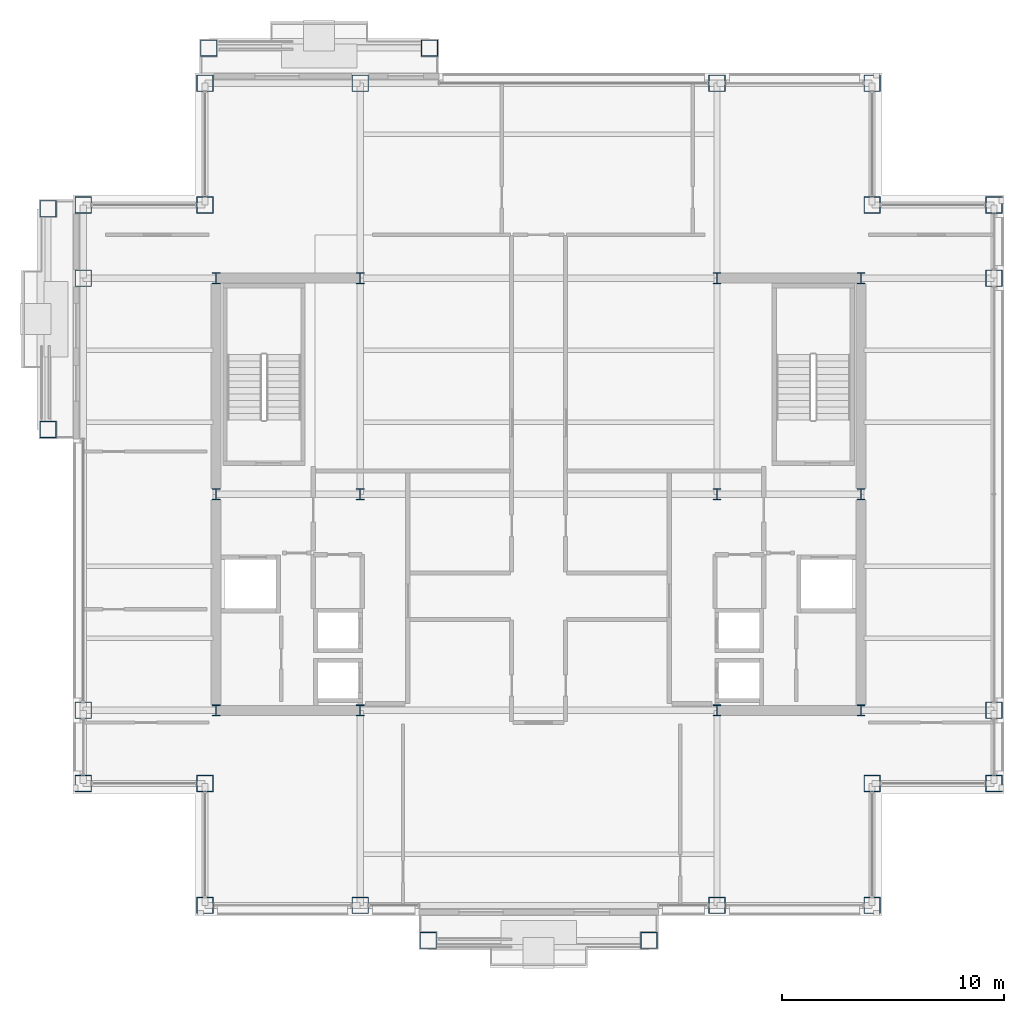
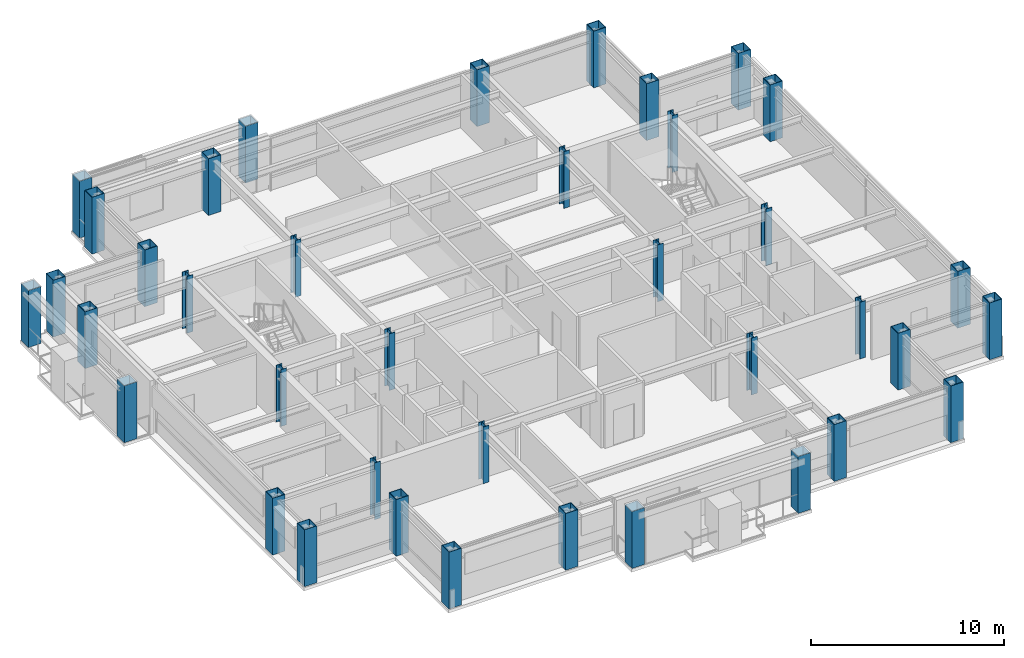
# One storey, part 1 of 31: 38 columns.
"""IFC4 building model written with IfcOpenShell, lengths in metres."""

from ifc_helpers import new_model, si_unit, direction, frame, origin, origin_2d, place, context, subcontext, project, spatial, hollow_rectangle, i_section, extrude, material, material_profile, profile_set, type_object, element, save


model = new_model("IFC4")

# Units and contexts
model_context = context("Model", 3, precision=1e-05, world=origin(), true_north=direction((0.0, 1.0)))
body_context = subcontext(model_context, "Body", "Model", "MODEL_VIEW")
ifc_project = project(units=[si_unit("LENGTHUNIT", "METRE"), si_unit("AREAUNIT", "SQUARE_METRE"), si_unit("VOLUMEUNIT", "CUBIC_METRE"), si_unit("PLANEANGLEUNIT", "RADIAN"), si_unit("MASSUNIT", "GRAM", prefix="KILO")], contexts=[model_context])

# Site, building, storey
site_placement = place(None, origin())
site = spatial("IfcSite", under=ifc_project, at=site_placement, CompositionType="ELEMENT")
building_placement = place(site_placement, origin())
building = spatial("IfcBuilding", under=site, at=building_placement, Name="Brelmoor Portico Tower", CompositionType="ELEMENT")
storey_placement = place(building_placement, frame((0.0, 0.0, 176.699951171875)))
storey = spatial("IfcBuildingStorey", under=building, at=storey_placement, Name="L46", CompositionType="ELEMENT", Elevation=176.699951171875)

# Columns
ifc_material = material(Name="Steel Q355B", Category="steel")
ifc_material_profile_1 = material_profile(ifc_material, hollow_rectangle(XDim=0.75, YDim=0.75, WallThickness=0.031982421875, at=origin_2d()), Name="BOX 750x750x32")
ifc_profile_set_1 = profile_set([ifc_material_profile_1], Name="Steel Q355B")
column_type_1 = type_object("IfcColumnType", Name="COL-MEGA-750", PredefinedType="COLUMN", material=ifc_profile_set_1)
for number, where, z_axis, x_axis, name in (
    (1, (-15.050048828125, -18.550048828125, 0.0), (0.0, 0.0, 1.0), (1.0, 0.0, 0.0), "L46 Perimeter Mega-Column PS01"),
    (2, (-8.050048828125, -18.550048828125, 0.0), (0.0, 0.0, 1.0), (1.0, 0.0, 0.0), "L46 Perimeter Mega-Column PS02"),
    (3, (8.050048828125, -18.550048828125, 0.0), (0.0, 0.0, 1.0), (1.0, 0.0, 0.0), "L46 Perimeter Mega-Column PS03"),
    (4, (15.050048828125, -18.550048828125, 0.0), (0.0, 0.0, 1.0), (1.0, 0.0, 0.0), "L46 Perimeter Mega-Column PS04"),
    (5, (-15.050048828125, 18.550048828125, 0.0), (0.0, 0.0, 1.0), (1.0, 0.0, 0.0), "L46 Perimeter Mega-Column PN01"),
    (6, (-8.050048828125, 18.550048828125, 0.0), (0.0, 0.0, 1.0), (1.0, 0.0, 0.0), "L46 Perimeter Mega-Column PN02"),
    (7, (8.050048828125, 18.550048828125, 0.0), (0.0, 0.0, 1.0), (1.0, 0.0, 0.0), "L46 Perimeter Mega-Column PN03"),
    (8, (15.050048828125, 18.550048828125, 0.0), (0.0, 0.0, 1.0), (1.0, 0.0, 0.0), "L46 Perimeter Mega-Column PN04"),
    (9, (-20.550048828125, -13.050048828125, 0.0), (0.0, 0.0, 1.0), (0.0, 1.0, 0.0), "L46 Perimeter Mega-Column PW01"),
    (10, (-20.550048828125, -9.75, 0.0), (0.0, 0.0, 1.0), (0.0, 1.0, 0.0), "L46 Perimeter Mega-Column PW02"),
    (11, (-20.550048828125, 9.75, 0.0), (0.0, 0.0, 1.0), (0.0, 1.0, 0.0), "L46 Perimeter Mega-Column PW03"),
    (12, (-20.550048828125, 13.050048828125, 0.0), (0.0, 0.0, 1.0), (0.0, 1.0, 0.0), "L46 Perimeter Mega-Column PW04"),
    (13, (20.550048828125, -13.050048828125, 0.0), (0.0, 0.0, 1.0), (0.0, 1.0, 0.0), "L46 Perimeter Mega-Column PE01"),
    (14, (20.550048828125, -9.75, 0.0), (0.0, 0.0, 1.0), (0.0, 1.0, 0.0), "L46 Perimeter Mega-Column PE02"),
    (15, (20.550048828125, 9.75, 0.0), (0.0, 0.0, 1.0), (0.0, 1.0, 0.0), "L46 Perimeter Mega-Column PE03"),
    (16, (20.550048828125, 13.050048828125, 0.0), (0.0, 0.0, 1.0), (0.0, 1.0, 0.0), "L46 Perimeter Mega-Column PE04"),
    (17, (-15.050048828125, 13.050048828125, 0.0), (0.0, 0.0, 1.0), (1.0, 0.0, 0.0), "L46 Perimeter Mega-Column PC-NW"),
    (18, (15.050048828125, 13.050048828125, 0.0), (0.0, 0.0, 1.0), (1.0, 0.0, 0.0), "L46 Perimeter Mega-Column PC-NE"),
    (19, (15.050048828125, -13.050048828125, 0.0), (0.0, 0.0, 1.0), (1.0, 0.0, 0.0), "L46 Perimeter Mega-Column PC-SE"),
    (20, (-15.050048828125, -13.050048828125, 0.0), (0.0, 0.0, 1.0), (1.0, 0.0, 0.0), "L46 Perimeter Mega-Column PC-SW"),
    (21, (-4.97998046875, -20.1298828125, 0.0), (0.0, 0.0, 1.0), (1.0, 0.0, 0.0), "L46 Proud Picture-Frame Pier PFJ-S1"),
    (22, (4.97998046875, -20.1298828125, 0.0), (0.0, 0.0, 1.0), (1.0, 0.0, 0.0), "L46 Proud Picture-Frame Pier PFJ-S2"),
    (23, (-14.8798828125, 20.1298828125, 0.0), (0.0, 0.0, 1.0), (1.0, 0.0, 0.0), "L46 Proud Picture-Frame Pier PFJ-N1"),
    (24, (-4.919921875, 20.1298828125, 0.0), (0.0, 0.0, 1.0), (1.0, 0.0, 0.0), "L46 Proud Picture-Frame Pier PFJ-N2"),
    (25, (-22.1298828125, 2.919921875, 0.0), (0.0, 0.0, 1.0), (0.0, 1.0, 0.0), "L46 Proud Picture-Frame Pier PFJ-W1"),
    (26, (-22.1298828125, 12.8798828125, 0.0), (0.0, 0.0, 1.0), (0.0, 1.0, 0.0), "L46 Proud Picture-Frame Pier PFJ-W2"),
):
    element("IfcColumn", number, at=place(storey_placement, frame(where, z_axis=z_axis, x_axis=x_axis)), inside=storey, type_object=column_type_1, Name=name, PredefinedType="COLUMN", context=body_context, shape_type="SweptSolid", body=[
        extrude(hollow_rectangle(XDim=0.75, YDim=0.75, WallThickness=0.031982421875, at=origin_2d()), origin(), (0.0, 0.0, 1.0), 3.60009765625),
    ])
ifc_material_profile_2 = material_profile(ifc_material, i_section(OverallWidth=0.35009765625, OverallDepth=0.5, WebThickness=0.02001953125, FlangeThickness=0.031982421875, at=origin_2d()), Name="HW 500x350x20x32")
ifc_profile_set_2 = profile_set([ifc_material_profile_2], Name="Steel Q355B")
column_type_2 = type_object("IfcColumnType", Name="COL-SPINE-500", PredefinedType="COLUMN", material=ifc_profile_set_2)
for number, where, z_axis, x_axis, name in (
    (27, (-14.550048828125, -9.75, 0.0), (0.0, 0.0, 1.0), (1.0, 0.0, 0.0), "L46 Core Spine Column CW-SW"),
    (28, (-14.550048828125, 0.0, 0.0), (0.0, 0.0, 1.0), (1.0, 0.0, 0.0), "L46 Core Spine Column CW-MW"),
    (29, (-14.550048828125, 9.75, 0.0), (0.0, 0.0, 1.0), (1.0, 0.0, 0.0), "L46 Core Spine Column CW-NW"),
    (30, (-8.050048828125, -9.75, 0.0), (0.0, 0.0, 1.0), (1.0, 0.0, 0.0), "L46 Core Spine Column CW-SE"),
    (31, (-8.050048828125, 0.0, 0.0), (0.0, 0.0, 1.0), (1.0, 0.0, 0.0), "L46 Core Spine Column CW-ME"),
    (32, (-8.050048828125, 9.75, 0.0), (0.0, 0.0, 1.0), (1.0, 0.0, 0.0), "L46 Core Spine Column CW-NE"),
    (33, (8.050048828125, -9.75, 0.0), (0.0, 0.0, 1.0), (1.0, 0.0, 0.0), "L46 Core Spine Column CE-SW"),
    (34, (8.050048828125, 0.0, 0.0), (0.0, 0.0, 1.0), (1.0, 0.0, 0.0), "L46 Core Spine Column CE-MW"),
    (35, (8.050048828125, 9.75, 0.0), (0.0, 0.0, 1.0), (1.0, 0.0, 0.0), "L46 Core Spine Column CE-NW"),
    (36, (14.550048828125, -9.75, 0.0), (0.0, 0.0, 1.0), (1.0, 0.0, 0.0), "L46 Core Spine Column CE-SE"),
    (37, (14.550048828125, 0.0, 0.0), (0.0, 0.0, 1.0), (1.0, 0.0, 0.0), "L46 Core Spine Column CE-ME"),
    (38, (14.550048828125, 9.75, 0.0), (0.0, 0.0, 1.0), (1.0, 0.0, 0.0), "L46 Core Spine Column CE-NE"),
):
    element("IfcColumn", number, at=place(storey_placement, frame(where, z_axis=z_axis, x_axis=x_axis)), inside=storey, type_object=column_type_2, Name=name, PredefinedType="COLUMN", context=body_context, shape_type="SweptSolid", body=[
        extrude(i_section(OverallWidth=0.35009765625, OverallDepth=0.5, WebThickness=0.02001953125, FlangeThickness=0.031982421875, at=origin_2d()), origin(), (0.0, 0.0, 1.0), 3.60009765625),
    ])

save(model, "model.ifc")
